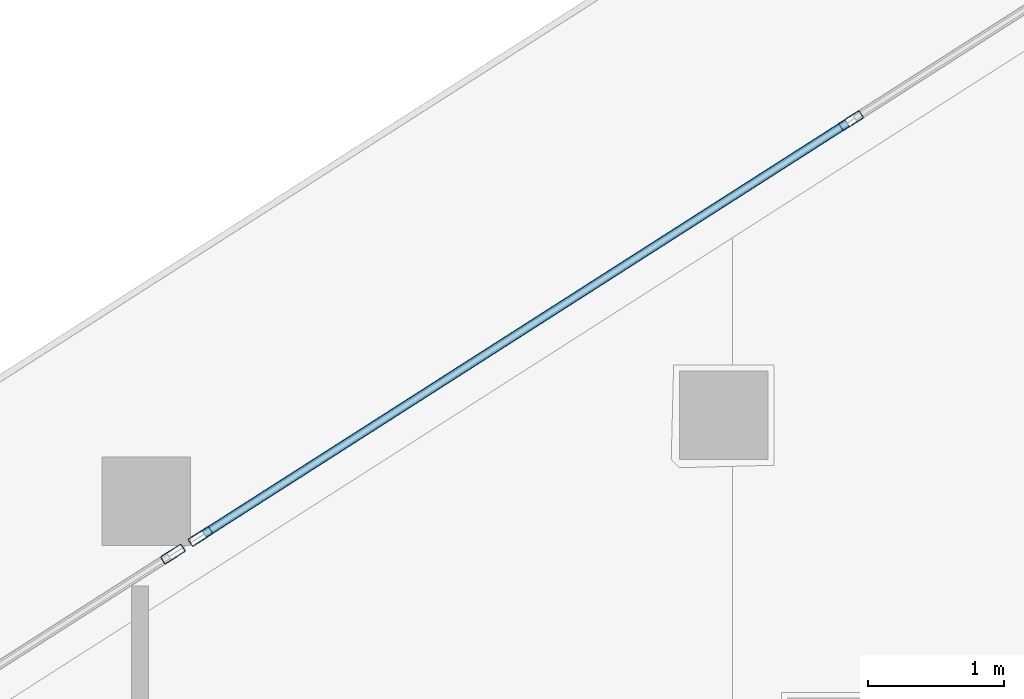
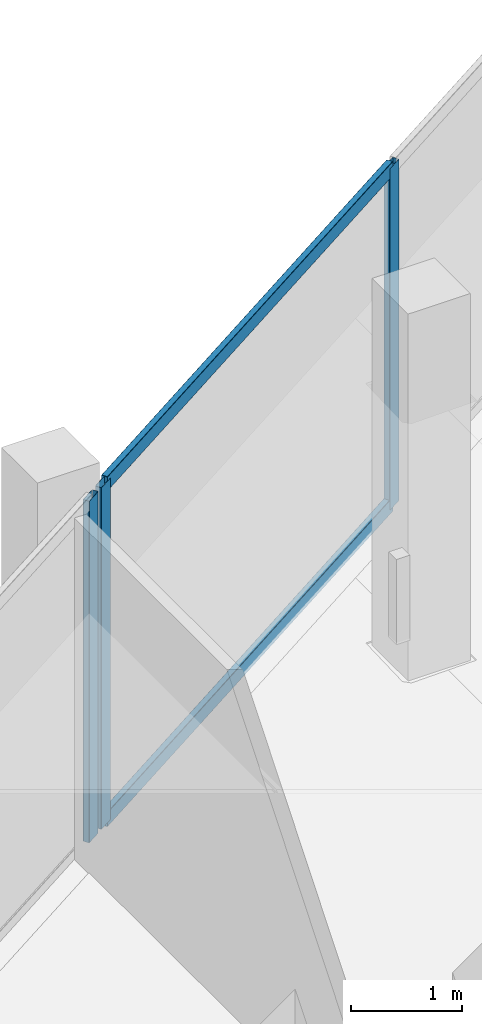
# One storey, part 17 of 42: 5 members, 2 elements without a shape of their own.
"""IFC4 building model written with IfcOpenShell, lengths in metres."""

from ifc_helpers import new_model, si_unit, direction, frame, origin, origin_2d, place, context, subcontext, project, spatial, hollow_rectangle, extrude, material, layer, layer_set, material_profile, profile_set, type_object, element, aggregate, save


model = new_model("IFC4")

# Units and contexts
model_context = context("Model", 3, precision=1e-05, world=origin(), true_north=direction((0.0, 1.0)))
body_context = subcontext(model_context, "Body", "Model", "MODEL_VIEW")
ifc_project = project(units=[si_unit("LENGTHUNIT", "METRE"), si_unit("AREAUNIT", "SQUARE_METRE"), si_unit("VOLUMEUNIT", "CUBIC_METRE"), si_unit("PLANEANGLEUNIT", "RADIAN"), si_unit("MASSUNIT", "GRAM", prefix="KILO")], contexts=[model_context])

# Site, building, storey
site_placement = place(None, origin())
site = spatial("IfcSite", under=ifc_project, at=site_placement, CompositionType="ELEMENT")
building_placement = place(site_placement, origin())
building = spatial("IfcBuilding", under=site, at=building_placement, Name="Qorvath Tower", CompositionType="ELEMENT")
storey_placement = place(building_placement, frame((0.0, 0.0, 121.949951171875)))
storey = spatial("IfcBuildingStorey", under=building, at=storey_placement, Name="L27", CompositionType="ELEMENT", Elevation=121.949951171875)

# Curtain wall, members
ifc_material_1 = material(Name="Anodised aluminium and triple low-E glass", Category="aluminium")
ifc_layer = layer(ifc_material_1, 0.179931640625)
ifc_layer_set = layer_set([ifc_layer], Name="CW-SYS-2")
curtain_wall_type = type_object("IfcCurtainWallType", Name="CW-SYS-2", PredefinedType="NOTDEFINED", material=ifc_layer_set)
curtain_wall_1_placement = place(storey_placement, origin())
curtain_wall_1 = element("IfcCurtainWall", 1, at=curtain_wall_1_placement, inside=storey, type_object=curtain_wall_type, Name="Curtain Wall CW-2 CW-T-L27-16.2", PredefinedType="NOTDEFINED")
ifc_material_2 = material(Name="Anodised aluminium 6063-T6", Category="aluminium")
ifc_material_profile_1 = material_profile(ifc_material_2, hollow_rectangle(XDim=0.06494140625, YDim=0.179931640625, WallThickness=0.00341796875, InnerFilletRadius=0.00341796875, OuterFilletRadius=0.007080078125, at=origin_2d()), Name="CWM 180x65")
ifc_profile_set_1 = profile_set([ifc_material_profile_1], Name="Anodised aluminium 6063-T6")
member_type_1 = type_object("IfcMemberType", Name="CWM-180", PredefinedType="MULLION", material=ifc_profile_set_1)
member_1_placement = place(storey_placement, frame((-30.081787109375, 21.62109375, 0.0), z_axis=(0.0, 0.0, 1.0), x_axis=(0.538529520478, -0.842606643442, 0.0)))
member_1 = element("IfcMember", 2, at=member_1_placement, type_object=member_type_1, Name="CW-2 mullion 2", PredefinedType="MULLION", context=body_context, shape_type="SweptSolid", body=[
    extrude(hollow_rectangle(XDim=0.06494140625, YDim=0.179931640625, WallThickness=0.00341796875, InnerFilletRadius=0.00341796875, OuterFilletRadius=0.007080078125, at=origin_2d()), origin(), (0.0, 0.0, 1.0), 3.77001953125),
])
member_2_placement = place(storey_placement, frame((-34.854248046875, 18.571044921875, 0.0), z_axis=(0.0, 0.0, 1.0), x_axis=(0.538529520478, -0.842606643442, 0.0)))
member_2 = element("IfcMember", 3, at=member_2_placement, type_object=member_type_1, Name="CW-2 mullion 3", PredefinedType="MULLION", context=body_context, shape_type="SweptSolid", body=[
    extrude(hollow_rectangle(XDim=0.06494140625, YDim=0.179931640625, WallThickness=0.00341796875, InnerFilletRadius=0.00341796875, OuterFilletRadius=0.007080078125, at=origin_2d()), origin(), (0.0, 0.0, 1.0), 3.77001953125),
])

# Curtain wall, member
curtain_wall_2_placement = place(storey_placement, origin())
curtain_wall_2 = element("IfcCurtainWall", 4, at=curtain_wall_2_placement, inside=storey, type_object=curtain_wall_type, Name="Curtain Wall CW-2 CW-T-L27-16.3", PredefinedType="NOTDEFINED")
member_3_placement = place(storey_placement, frame((-35.056396484375, 18.441650390625, 0.0), z_axis=(0.0, 0.0, 1.0), x_axis=(0.538534177075, -0.842603667285, 0.0)))
member_3 = element("IfcMember", 5, at=member_3_placement, type_object=member_type_1, Name="CW-2 mullion 1", PredefinedType="MULLION", context=body_context, shape_type="SweptSolid", body=[
    extrude(hollow_rectangle(XDim=0.06494140625, YDim=0.179931640625, WallThickness=0.00341796875, InnerFilletRadius=0.00341796875, OuterFilletRadius=0.007080078125, at=origin_2d()), origin(), (0.0, 0.0, 1.0), 3.77001953125),
])
aggregate(curtain_wall_2, [member_3])

# Member
ifc_material_3 = material(Name="Anodised aluminium 6063-T6", Category="aluminium")
ifc_material_profile_2 = material_profile(ifc_material_3, hollow_rectangle(XDim=0.06494140625, YDim=0.159912109375, WallThickness=0.00341796875, InnerFilletRadius=0.00341796875, OuterFilletRadius=0.007080078125, at=origin_2d()), Name="CWT 160x65")
ifc_profile_set_2 = profile_set([ifc_material_profile_2], Name="Anodised aluminium 6063-T6")
member_type_2 = type_object("IfcMemberType", Name="CWT-160", PredefinedType="USERDEFINED", material=ifc_profile_set_2)
member_4_placement = place(storey_placement, frame((-30.109375, 21.603515625, 0.032470703125), z_axis=(-0.842622059823, -0.53850539858, 0.0), x_axis=(0.53850539858, -0.842622059823, 0.0)))
member_4 = element("IfcMember", 6, at=member_4_placement, type_object=member_type_2, Name="CW-2 transom 2.1", ObjectType="TRANSOM", PredefinedType="USERDEFINED", context=body_context, shape_type="SweptSolid", body=[
    extrude(hollow_rectangle(XDim=0.06494140625, YDim=0.159912109375, WallThickness=0.00341796875, InnerFilletRadius=0.00341796875, OuterFilletRadius=0.007080078125, at=origin_2d()), origin(), (0.0, 0.0, 1.0), 5.5986328125),
])

member_5_placement = place(storey_placement, frame((-30.109375, 21.603515625, 3.737548828125), z_axis=(-0.842622059823, -0.53850539858, 0.0), x_axis=(0.53850539858, -0.842622059823, 0.0)))
member_5 = element("IfcMember", 7, at=member_5_placement, type_object=member_type_2, Name="CW-2 transom 2.2", ObjectType="TRANSOM", PredefinedType="USERDEFINED", context=body_context, shape_type="SweptSolid", body=[
    extrude(hollow_rectangle(XDim=0.06494140625, YDim=0.159912109375, WallThickness=0.00341796875, InnerFilletRadius=0.00341796875, OuterFilletRadius=0.007080078125, at=origin_2d()), origin(), (0.0, 0.0, 1.0), 5.5986328125),
])

aggregate(curtain_wall_1, [member_1, member_2, member_4, member_5])

save(model, "model.ifc")
